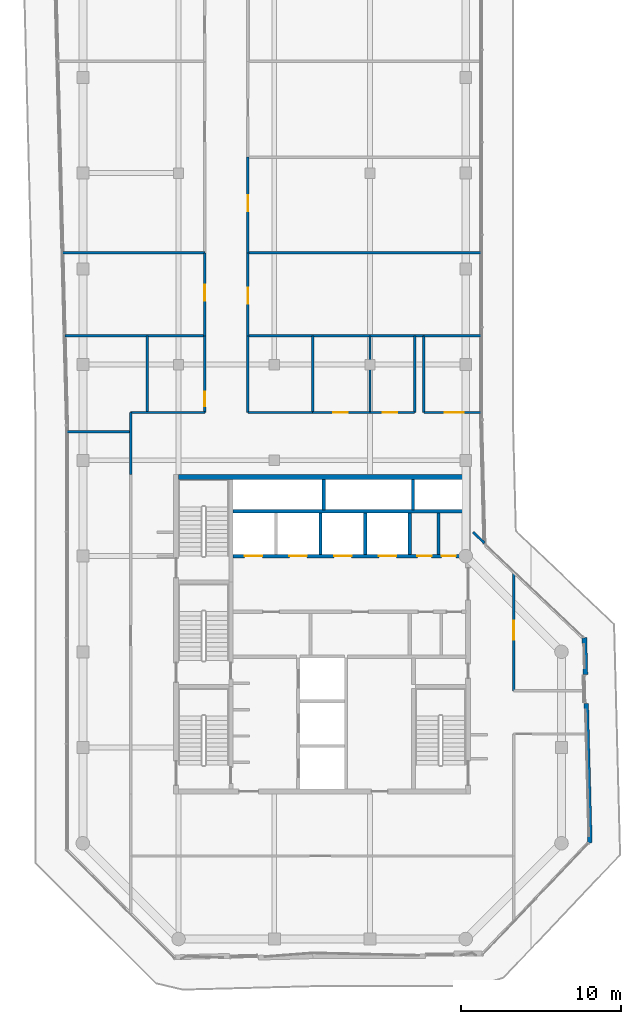
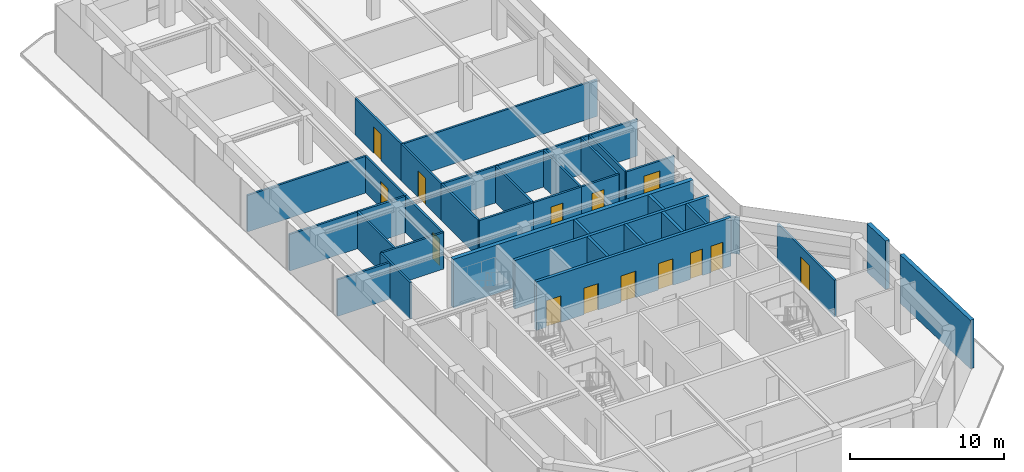
# One storey, part 17 of 20: 35 walls, 14 doors, 14 openings.
"""IFC4 building model written with IfcOpenShell, lengths in metres."""

import ifcopenshell
import ifcopenshell.guid

model = None  # the IFC model being written
_history = None  # IfcOwnerHistory: only IFC2X3 demands one
_inside = {}  # id of a spatial element -> (the spatial element, [elements in it])
_under = {}  # id of a project, library or spatial element -> (it, [spatial elements below it])
_declared = {}  # id of a project -> (the project, [libraries it declares])
_typed = {}  # id of a type object -> (the type object, [elements of that type])
_made_of = {}  # id of a material, layer set ... -> (it, [elements and type objects made of it])


def new_model(schema):
    """Start an empty IFC model of exactly this schema.

    Asked for "IFC4X3", IfcOpenShell would pick the latest addendum, in which some entities
    have other attributes; the version numbers below select the first issue.
    IFC2X3 requires an IfcOwnerHistory on every rooted entity: one is made here for all.
    """
    global model, _history
    if schema == "IFC4X3":
        model = ifcopenshell.file(schema_version=(4, 3, 0, 0))
    else:
        model = ifcopenshell.file(schema=schema)
    _inside.clear()
    _under.clear()
    _declared.clear()
    _typed.clear()
    _made_of.clear()
    _history = None
    if model.schema == "IFC2X3":
        org = make("IfcOrganization", Name="unknown")
        user = make(
            "IfcPersonAndOrganization",
            ThePerson=make("IfcPerson", FamilyName="unknown"),
            TheOrganization=org,
        )
        app = make(
            "IfcApplication",
            ApplicationDeveloper=org,
            Version="unknown",
            ApplicationFullName="unknown",
            ApplicationIdentifier="unknown",
        )
        _history = make(
            "IfcOwnerHistory",
            OwningUser=user,
            OwningApplication=app,
            ChangeAction="ADDED",
            CreationDate=0,
        )
    return model


def make(cls, **values):
    """One entity of the class cls with the attributes given. An attribute that is None is left unset."""
    return model.create_entity(
        cls, **{name: value for name, value in values.items() if value is not None}
    )


def rooted(cls, **values):
    """An entity with a GlobalId (a new one), such as an element, a storey or a relation."""
    return make(cls, GlobalId=ifcopenshell.guid.new(), OwnerHistory=_history, **values)


def si_unit(unit_type, name, prefix=None):
    """IfcSIUnit, for example si_unit("LENGTHUNIT", "METRE", prefix="MILLI")."""
    return make("IfcSIUnit", UnitType=unit_type, Prefix=prefix, Name=name)


def assignment(units):
    """IfcUnitAssignment: the units of a project."""
    return None if units is None else make("IfcUnitAssignment", Units=units)


def point(xyz):
    """IfcCartesianPoint."""
    return None if xyz is None else make("IfcCartesianPoint", Coordinates=xyz)


def direction(xyz):
    """IfcDirection."""
    return None if xyz is None else make("IfcDirection", DirectionRatios=xyz)


def frame(location, z_axis=None, x_axis=None):
    """IfcAxis2Placement3D, a coordinate frame: its origin and axes. An axis left out is left unset."""
    return make(
        "IfcAxis2Placement3D",
        Location=point(location),
        Axis=direction(z_axis),
        RefDirection=direction(x_axis),
    )


def frame_2d(location, x_axis=None):
    """IfcAxis2Placement2D, a coordinate frame in the plane: its origin and x axis."""
    return make(
        "IfcAxis2Placement2D", Location=point(location), RefDirection=direction(x_axis)
    )


def origin():
    """The frame at (0, 0, 0) with its axes left unset."""
    return frame((0.0, 0.0, 0.0))


def place(relative_to, where):
    """IfcLocalPlacement: puts the frame where relative to a parent placement (None: the world)."""
    return make(
        "IfcLocalPlacement", PlacementRelTo=relative_to, RelativePlacement=where
    )


def context(
    kind, dimensions, precision=None, world=None, true_north=None, identifier=None
):
    """IfcGeometricRepresentationContext, for example the 3D "Model" context."""
    return make(
        "IfcGeometricRepresentationContext",
        ContextIdentifier=identifier,
        ContextType=kind,
        CoordinateSpaceDimension=dimensions,
        Precision=precision,
        WorldCoordinateSystem=world,
        TrueNorth=true_north,
    )


def subcontext(parent, identifier, kind, view, scale=None):
    """IfcGeometricRepresentationSubContext, for example "Body" below "Model"."""
    return make(
        "IfcGeometricRepresentationSubContext",
        ContextIdentifier=identifier,
        ContextType=kind,
        ParentContext=parent,
        TargetScale=scale,
        TargetView=view,
    )


def project(units=None, contexts=None):
    """IfcProject with its units and contexts."""
    return rooted(
        "IfcProject",
        Name="project",
        RepresentationContexts=contexts,
        UnitsInContext=assignment(units),
    )


def spatial(cls, under=None, at=None, **own):
    """A site, building, storey or space (cls), placed at a placement, below another one or the project."""
    s = rooted(cls, ObjectPlacement=at, **own)
    if under is not None:
        _under.setdefault(under.id(), (under, []))[1].append(s)
    return s


def profile(cls, at=None, kind="AREA", **sizes):
    """A parametric profile (cls). Its sizes go by their IFC names, for example OverallWidth=200.0."""
    return make(cls, ProfileType=kind, Position=at, **sizes)


def rectangle(**sizes):
    """IfcRectangleProfileDef."""
    return profile("IfcRectangleProfileDef", **sizes)


def extrude(swept, where, along, depth):
    """IfcExtrudedAreaSolid: the profile swept, set in the frame where, extruded along a direction by depth."""
    return make(
        "IfcExtrudedAreaSolid",
        SweptArea=swept,
        Position=where,
        ExtrudedDirection=direction(along),
        Depth=depth,
    )


def shape(context_of_items, identifier, shape_type, items):
    """IfcShapeRepresentation: the items that make up one representation, for example the "Body"."""
    return make(
        "IfcShapeRepresentation",
        ContextOfItems=context_of_items,
        RepresentationIdentifier=identifier,
        RepresentationType=shape_type,
        Items=items,
    )


def material(Name=None, Category=None):
    """IfcMaterial."""
    return make("IfcMaterial", Name=Name, Category=Category)


def layer(
    of_material, thickness, ventilated=None, Name=None, Category=None, Priority=None
):
    """IfcMaterialLayer: one layer of a wall or slab, of a material (None: an air gap)."""
    return make(
        "IfcMaterialLayer",
        Material=of_material,
        LayerThickness=thickness,
        IsVentilated=ventilated,
        Name=Name,
        Category=Category,
        Priority=Priority,
    )


def layer_set(layers, Name=None):
    """IfcMaterialLayerSet."""
    return make("IfcMaterialLayerSet", MaterialLayers=layers, LayerSetName=Name)


def made_of(thing, what):
    """Note that an element or type object is made of a material, layer set ...; save() writes the relation."""
    if what is not None:
        _made_of.setdefault(what.id(), (what, []))[1].append(thing)
    return thing


def type_object(cls, material=None, **own):
    """A type object (cls), such as IfcWallType, which elements share."""
    return made_of(rooted(cls, **own), material)


def element(
    cls,
    number,
    at=None,
    inside=None,
    cuts=None,
    type_object=None,
    material=None,
    context=None,
    identifier="Body",
    shape_type=None,
    held_by="IfcProductDefinitionShape",
    body=None,
    shapes=None,
    **own,
):
    """One element of the class cls, such as IfcWall. Its Tag is "e" and its number.

    at: its placement. inside: the storey or other place that contains it. cuts: it is an
    opening in that element (IfcRelVoidsElement). A single representation is given by context,
    identifier, shape_type and body (its items); several are given by shapes. held_by: the class
    of the entity that holds the representations. save() writes the other relations.
    """
    e = rooted(cls, Tag="e%d" % number, ObjectPlacement=at, **own)
    if body is not None:
        shapes = [shape(context, identifier, shape_type, body)]
    if shapes is not None:
        e.Representation = make(held_by, Representations=shapes)
    if inside is not None:
        _inside.setdefault(inside.id(), (inside, []))[1].append(e)
    if cuts is not None:
        rooted(
            "IfcRelVoidsElement", RelatingBuildingElement=cuts, RelatedOpeningElement=e
        )
    if type_object is not None:
        _typed.setdefault(type_object.id(), (type_object, []))[1].append(e)
    return made_of(e, material)


def fill(opening, filler):
    """IfcRelFillsElement: the door or window that sits in an opening."""
    return rooted(
        "IfcRelFillsElement",
        RelatingOpeningElement=opening,
        RelatedBuildingElement=filler,
    )


def aggregate(whole, parts):
    """IfcRelAggregates: a whole, such as a stair, and the parts it consists of."""
    return rooted("IfcRelAggregates", RelatingObject=whole, RelatedObjects=parts)


def save(model, path):
    """Write the relations noted so far, then the file.

    IfcRelAggregates (storeys below a building ...), IfcRelContainedInSpatialStructure (elements
    in a storey), IfcRelDefinesByType, IfcRelAssociatesMaterial and IfcRelDeclares: one each for
    every whole, place, type object, material and project.
    """
    for whole, parts in _under.values():
        aggregate(whole, parts)
    for where, things in _inside.values():
        rooted(
            "IfcRelContainedInSpatialStructure",
            RelatedElements=things,
            RelatingStructure=where,
        )
    for kind, things in _typed.values():
        rooted("IfcRelDefinesByType", RelatedObjects=things, RelatingType=kind)
    for what, things in _made_of.values():
        rooted("IfcRelAssociatesMaterial", RelatedObjects=things, RelatingMaterial=what)
    for by, libraries in _declared.values():
        rooted("IfcRelDeclares", RelatingContext=by, RelatedDefinitions=libraries)
    model.write(path)


model = new_model("IFC4")

# Units and contexts
model_context = context("Model", 3, precision=1e-05, world=origin(), true_north=direction((0.0, 1.0)))
body_context = subcontext(model_context, "Body", "Model", "MODEL_VIEW")
ifc_project = project(units=[si_unit("LENGTHUNIT", "METRE"), si_unit("AREAUNIT", "SQUARE_METRE"), si_unit("VOLUMEUNIT", "CUBIC_METRE"), si_unit("PLANEANGLEUNIT", "RADIAN"), si_unit("MASSUNIT", "GRAM", prefix="KILO")], contexts=[model_context])

# Site, building, storey
site_placement = place(None, origin())
site = spatial("IfcSite", under=ifc_project, at=site_placement, CompositionType="ELEMENT")
building_placement = place(site_placement, origin())
building = spatial("IfcBuilding", under=site, at=building_placement, Name="Welwitschia Terrace Campus", CompositionType="ELEMENT")
storey_placement = place(building_placement, frame((0.0, 0.0, 293.60009765625)))
storey = spatial("IfcBuildingStorey", under=building, at=storey_placement, Name="L65", CompositionType="ELEMENT", Elevation=293.60009765625)

# Wall
ifc_material_1 = material(Name="Concrete C32/40", Category="concrete")
ifc_layer_1 = layer(ifc_material_1, 0.175048828125)
ifc_layer_set_1 = layer_set([ifc_layer_1], Name="Concrete C32/40")
wall_type_1 = type_object("IfcWallType", Name="Core partition 175 Concrete C32/40", PredefinedType="PARTITIONING", material=ifc_layer_set_1)
wall_1_placement = place(storey_placement, frame((22.300048828125, 20.10009765625, 0.0), z_axis=(0.0, 0.0, 1.0), x_axis=(0.0, 1.0, 0.0)))
element("IfcWall", 1, at=wall_1_placement, inside=storey, type_object=wall_type_1, Name="Core partition", PredefinedType="PARTITIONING", context=body_context, shape_type="SweptSolid", body=[
    extrude(rectangle(XDim=2.599853515625, YDim=0.175048828125, at=frame_2d((1.2998046875, 0.0))), origin(), (0.0, 0.0, 1.0), 3.849853515625),
])

# Wall, openings, doors
ifc_material_2 = material(Name="Concrete C32/40", Category="concrete")
ifc_layer_2 = layer(ifc_material_2, 0.22509765625)
ifc_layer_set_2 = layer_set([ifc_layer_2], Name="Concrete C32/40")
wall_type_2 = type_object("IfcWallType", Name="Core partition 225 Concrete C32/40", PredefinedType="PARTITIONING", material=ifc_layer_set_2)
wall_2_placement = place(storey_placement, frame((24.0, 20.0, 0.0), z_axis=(0.0, 0.0, 1.0), x_axis=(-1.0, 0.0, 0.0)))
wall_2 = element("IfcWall", 2, at=wall_2_placement, inside=storey, type_object=wall_type_2, Name="Shaft wall", PredefinedType="PARTITIONING", context=body_context, shape_type="SweptSolid", body=[
    extrude(rectangle(XDim=14.60009765625, YDim=0.22509765625, at=frame_2d((7.300048828125, 0.0))), origin(), (0.0, 0.0, 1.0), 3.849853515625),
])
opening_1_placement = place(wall_2_placement, frame((12.75, 0.0, 0.0)))
opening_1 = element("IfcOpeningElement", 3, at=opening_1_placement, cuts=wall_2, Name="Opening LD", PredefinedType="OPENING", context=body_context, shape_type="SweptSolid", body=[
    extrude(rectangle(XDim=1.10009765625, YDim=2.10009765625, at=frame_2d((0.550048828125, 1.050048828125))), frame((0.0, 0.12255859375, 0.0), z_axis=(0.0, -1.0, 0.0), x_axis=(1.0, 0.0, 0.0)), (0.0, 0.0, 1.0), 0.2451171875),
])
opening_2_placement = place(wall_2_placement, frame((9.949951171875, 0.0, 0.0)))
opening_2 = element("IfcOpeningElement", 4, at=opening_2_placement, cuts=wall_2, Name="Opening LD", PredefinedType="OPENING", context=body_context, shape_type="SweptSolid", body=[
    extrude(rectangle(XDim=1.10009765625, YDim=2.10009765625, at=frame_2d((0.550048828125, 1.050048828125))), frame((0.0, 0.12255859375, 0.0), z_axis=(0.0, -1.0, 0.0), x_axis=(1.0, 0.0, 0.0)), (0.0, 0.0, 1.0), 0.2451171875),
])
opening_3_placement = place(wall_2_placement, frame((7.14990234375, 0.0, 0.0)))
opening_3 = element("IfcOpeningElement", 5, at=opening_3_placement, cuts=wall_2, Name="Opening LD", PredefinedType="OPENING", context=body_context, shape_type="SweptSolid", body=[
    extrude(rectangle(XDim=1.10009765625, YDim=2.10009765625, at=frame_2d((0.550048828125, 1.050048828125))), frame((0.0, 0.12255859375, 0.0), z_axis=(0.0, -1.0, 0.0), x_axis=(1.0, 0.0, 0.0)), (0.0, 0.0, 1.0), 0.2451171875),
])
opening_4_placement = place(wall_2_placement, frame((4.35009765625, 0.0, 0.0)))
opening_4 = element("IfcOpeningElement", 6, at=opening_4_placement, cuts=wall_2, Name="Opening LD", PredefinedType="OPENING", context=body_context, shape_type="SweptSolid", body=[
    extrude(rectangle(XDim=1.10009765625, YDim=2.10009765625, at=frame_2d((0.550048828125, 1.050048828125))), frame((0.0, 0.12255859375, 0.0), z_axis=(0.0, -1.0, 0.0), x_axis=(1.0, 0.0, 0.0)), (0.0, 0.0, 1.0), 0.2451171875),
])
opening_5_placement = place(wall_2_placement, frame((2.137451171875, 0.0, 0.0)))
opening_5 = element("IfcOpeningElement", 7, at=opening_5_placement, cuts=wall_2, Name="Opening DR09", PredefinedType="OPENING", context=body_context, shape_type="SweptSolid", body=[
    extrude(rectangle(XDim=0.89990234375, YDim=2.10009765625, at=frame_2d((0.449951171875, 1.050048828125))), frame((0.0, 0.12255859375, 0.0), z_axis=(0.0, -1.0, 0.0), x_axis=(1.0, 0.0, 0.0)), (0.0, 0.0, 1.0), 0.2451171875),
])
opening_6_placement = place(wall_2_placement, frame((0.612060546875, 0.0, 0.0)))
opening_6 = element("IfcOpeningElement", 8, at=opening_6_placement, cuts=wall_2, Name="Opening DR09", PredefinedType="OPENING", context=body_context, shape_type="SweptSolid", body=[
    extrude(rectangle(XDim=0.89990234375, YDim=2.10009765625, at=frame_2d((0.449951171875, 1.050048828125))), frame((0.0, 0.12255859375, 0.0), z_axis=(0.0, -1.0, 0.0), x_axis=(1.0, 0.0, 0.0)), (0.0, 0.0, 1.0), 0.2451171875),
])
ifc_material_3 = material(Name="Steel S275", Category="steel")
door_type_1 = type_object("IfcDoorType", Name="Core door DR09", OperationType="SINGLE_SWING_LEFT", PredefinedType="DOOR", material=ifc_material_3)
door_1_placement = place(opening_5_placement, origin())
door_1 = element("IfcDoor", 9, at=door_1_placement, inside=storey, type_object=door_type_1, Name="Door EH1-D", OperationType="SINGLE_SWING_LEFT", OverallHeight=2.10009765625, OverallWidth=0.89990234375, PredefinedType="DOOR", context=body_context, shape_type="SweptSolid", body=[
    extrude(rectangle(XDim=0.89990234375, YDim=2.10009765625, at=frame_2d((0.449951171875, 1.050048828125))), frame((0.0, 0.02490234375, 0.0), z_axis=(0.0, -1.0, 0.0), x_axis=(1.0, 0.0, 0.0)), (0.0, 0.0, 1.0), 0.050048828125),
])
fill(opening_5, door_1)
door_2_placement = place(opening_6_placement, origin())
door_2 = element("IfcDoor", 10, at=door_2_placement, inside=storey, type_object=door_type_1, Name="Door EH2-D", OperationType="SINGLE_SWING_LEFT", OverallHeight=2.10009765625, OverallWidth=0.89990234375, PredefinedType="DOOR", context=body_context, shape_type="SweptSolid", body=[
    extrude(rectangle(XDim=0.89990234375, YDim=2.10009765625, at=frame_2d((0.449951171875, 1.050048828125))), frame((0.0, 0.02490234375, 0.0), z_axis=(0.0, -1.0, 0.0), x_axis=(1.0, 0.0, 0.0)), (0.0, 0.0, 1.0), 0.050048828125),
])
fill(opening_6, door_2)
ifc_material_4 = material(Name="Stainless steel 304", Category="steel")
door_type_2 = type_object("IfcDoorType", Name="Lift landing door", OperationType="DOUBLE_DOOR_SLIDING", PredefinedType="DOOR", material=ifc_material_4)
door_3_placement = place(opening_1_placement, origin())
door_3 = element("IfcDoor", 11, at=door_3_placement, inside=storey, type_object=door_type_2, Name="Landing door HR1", OperationType="DOUBLE_DOOR_SLIDING", OverallHeight=2.10009765625, OverallWidth=1.10009765625, PredefinedType="DOOR", context=body_context, shape_type="SweptSolid", body=[
    extrude(rectangle(XDim=1.10009765625, YDim=2.10009765625, at=frame_2d((0.550048828125, 1.050048828125))), frame((0.0, 0.02490234375, 0.0), z_axis=(0.0, -1.0, 0.0), x_axis=(1.0, 0.0, 0.0)), (0.0, 0.0, 1.0), 0.050048828125),
])
fill(opening_1, door_3)
door_4_placement = place(opening_2_placement, origin())
door_4 = element("IfcDoor", 12, at=door_4_placement, inside=storey, type_object=door_type_2, Name="Landing door HR2", OperationType="DOUBLE_DOOR_SLIDING", OverallHeight=2.10009765625, OverallWidth=1.10009765625, PredefinedType="DOOR", context=body_context, shape_type="SweptSolid", body=[
    extrude(rectangle(XDim=1.10009765625, YDim=2.10009765625, at=frame_2d((0.550048828125, 1.050048828125))), frame((0.0, 0.02490234375, 0.0), z_axis=(0.0, -1.0, 0.0), x_axis=(1.0, 0.0, 0.0)), (0.0, 0.0, 1.0), 0.050048828125),
])
fill(opening_2, door_4)
door_5_placement = place(opening_3_placement, origin())
door_5 = element("IfcDoor", 13, at=door_5_placement, inside=storey, type_object=door_type_2, Name="Landing door HR3", OperationType="DOUBLE_DOOR_SLIDING", OverallHeight=2.10009765625, OverallWidth=1.10009765625, PredefinedType="DOOR", context=body_context, shape_type="SweptSolid", body=[
    extrude(rectangle(XDim=1.10009765625, YDim=2.10009765625, at=frame_2d((0.550048828125, 1.050048828125))), frame((0.0, 0.02490234375, 0.0), z_axis=(0.0, -1.0, 0.0), x_axis=(1.0, 0.0, 0.0)), (0.0, 0.0, 1.0), 0.050048828125),
])
fill(opening_3, door_5)
door_6_placement = place(opening_4_placement, origin())
door_6 = element("IfcDoor", 14, at=door_6_placement, inside=storey, type_object=door_type_2, Name="Landing door HR4", OperationType="DOUBLE_DOOR_SLIDING", OverallHeight=2.10009765625, OverallWidth=1.10009765625, PredefinedType="DOOR", context=body_context, shape_type="SweptSolid", body=[
    extrude(rectangle(XDim=1.10009765625, YDim=2.10009765625, at=frame_2d((0.550048828125, 1.050048828125))), frame((0.0, 0.02490234375, 0.0), z_axis=(0.0, -1.0, 0.0), x_axis=(1.0, 0.0, 0.0)), (0.0, 0.0, 1.0), 0.050048828125),
])
fill(opening_4, door_6)

# Walls
wall_3_placement = place(storey_placement, frame((9.39990234375, 22.800048828125, 0.0), z_axis=(0.0, 0.0, 1.0), x_axis=(1.0, 0.0, 0.0)))
element("IfcWall", 15, at=wall_3_placement, inside=storey, type_object=wall_type_2, Name="Shaft wall", PredefinedType="PARTITIONING", context=body_context, shape_type="SweptSolid", body=[
    extrude(rectangle(XDim=14.60009765625, YDim=0.22509765625, at=frame_2d((7.300048828125, 0.0))), origin(), (0.0, 0.0, 1.0), 3.849853515625),
])
wall_4_placement = place(storey_placement, frame((20.5, 20.10009765625, 0.0), z_axis=(0.0, 0.0, 1.0), x_axis=(0.0, 1.0, 0.0)))
element("IfcWall", 16, at=wall_4_placement, inside=storey, type_object=wall_type_2, Name="Shaft wall", PredefinedType="PARTITIONING", context=body_context, shape_type="SweptSolid", body=[
    extrude(rectangle(XDim=2.599853515625, YDim=0.22509765625, at=frame_2d((1.2998046875, 0.0))), origin(), (0.0, 0.0, 1.0), 3.849853515625),
])
ifc_material_5 = material(Name="Concrete C50/60", Category="concrete")
ifc_layer_3 = layer(ifc_material_5, 0.199951171875)
ifc_layer_set_3 = layer_set([ifc_layer_3], Name="Concrete C50/60")
wall_type_3 = type_object("IfcWallType", Name="Core wall 200 Concrete C50/60", PredefinedType="SHEAR", material=ifc_layer_set_3)
for number, where, z_axis, x_axis, name in (
    (17, (15.10009765625, 22.89990234375, 0.0), (0.0, 0.0, 1.0), (0.0, 1.0, 0.0), "Core wall"),
    (18, (20.699951171875, 22.89990234375, 0.0), (0.0, 0.0, 1.0), (0.0, 1.0, 0.0), "Core wall"),
):
    element("IfcWall", number, at=place(storey_placement, frame(where, z_axis=z_axis, x_axis=x_axis)), inside=storey, type_object=wall_type_3, Name=name, PredefinedType="SHEAR", context=body_context, shape_type="SweptSolid", body=[
        extrude(rectangle(XDim=1.900146484375, YDim=0.199951171875, at=frame_2d((0.9501953125, 0.0))), origin(), (0.0, 0.0, 1.0), 3.849853515625),
    ])
ifc_material_6 = material(Name="Concrete C50/60", Category="concrete")
ifc_layer_4 = layer(ifc_material_6, 0.300048828125)
ifc_layer_set_4 = layer_set([ifc_layer_4], Name="Concrete C50/60")
wall_type_4 = type_object("IfcWallType", Name="Core wall 300 Concrete C50/60", PredefinedType="SHEAR", material=ifc_layer_set_4)
wall_5_placement = place(storey_placement, frame((6.0, 24.949951171875, 0.0), z_axis=(0.0, 0.0, 1.0), x_axis=(1.0, 0.0, 0.0)))
element("IfcWall", 19, at=wall_5_placement, inside=storey, type_object=wall_type_4, Name="Core outer wall", PredefinedType="SHEAR", context=body_context, shape_type="SweptSolid", body=[
    extrude(rectangle(XDim=18.0, YDim=0.300048828125, at=frame_2d((9.0, 0.0))), origin(), (0.0, 0.0, 1.0), 3.849853515625),
])
ifc_material_7 = material(Name="Gypsum board on steel studs", Category="steel")
ifc_layer_5 = layer(ifc_material_7, 0.14990234375)
ifc_layer_set_5 = layer_set([ifc_layer_5], Name="Gypsum board on steel studs")
wall_type_5 = type_object("IfcWallType", Name="Corridor partition 150 EI 30", PredefinedType="PARTITIONING", material=ifc_layer_set_5)
wall_6_placement = place(storey_placement, frame((-1.260009765625, 39.0, 0.0), z_axis=(0.0, 0.0, 1.0), x_axis=(1.0, 0.0, 0.0)))
element("IfcWall", 20, at=wall_6_placement, inside=storey, type_object=wall_type_5, Name="Partition", PredefinedType="PARTITIONING", context=body_context, shape_type="SweptSolid", body=[
    extrude(rectangle(XDim=8.909912109375, YDim=0.14990234375, at=frame_2d((4.455078125, 0.0))), origin(), (0.0, 0.0, 1.0), 2.89990234375),
])
wall_7_placement = place(storey_placement, frame((-1.115234375, 33.800048828125, 0.0), z_axis=(0.0, 0.0, 1.0), x_axis=(1.0, 0.0, 0.0)))
element("IfcWall", 21, at=wall_7_placement, inside=storey, type_object=wall_type_5, Name="Partition", PredefinedType="PARTITIONING", context=body_context, shape_type="SweptSolid", body=[
    extrude(rectangle(XDim=8.76513671875, YDim=0.14990234375, at=frame_2d((4.382568359375, 0.0))), origin(), (0.0, 0.0, 1.0), 2.89990234375),
])
wall_8_placement = place(storey_placement, frame((-0.97998046875, 27.800048828125, 0.0), z_axis=(0.0, 0.0, 1.0), x_axis=(1.0, 0.0, 0.0)))
element("IfcWall", 22, at=wall_8_placement, inside=storey, type_object=wall_type_5, Name="Partition", PredefinedType="PARTITIONING", context=body_context, shape_type="SweptSolid", body=[
    extrude(rectangle(XDim=3.97998046875, YDim=0.14990234375, at=frame_2d((1.989990234375, 0.0))), origin(), (0.0, 0.0, 1.0), 2.89990234375),
])
wall_9_placement = place(storey_placement, frame((3.0, 25.10009765625, 0.0), z_axis=(0.0, 0.0, 1.0), x_axis=(0.0, 1.0, 0.0)))
element("IfcWall", 23, at=wall_9_placement, inside=storey, type_object=wall_type_5, Name="Partition", PredefinedType="PARTITIONING", context=body_context, shape_type="SweptSolid", body=[
    extrude(rectangle(XDim=3.89990234375, YDim=0.14990234375, at=frame_2d((1.949951171875, 0.0))), origin(), (0.0, 0.0, 1.0), 2.89990234375),
])
wall_10_placement = place(storey_placement, frame((3.0, 29.0, 0.0), z_axis=(0.0, 0.0, 1.0), x_axis=(1.0, 0.0, 0.0)))
element("IfcWall", 24, at=wall_10_placement, inside=storey, type_object=wall_type_5, Name="Partition", PredefinedType="PARTITIONING", context=body_context, shape_type="SweptSolid", body=[
    extrude(rectangle(XDim=4.64990234375, YDim=0.14990234375, at=frame_2d((2.324951171875, 0.0))), origin(), (0.0, 0.0, 1.0), 2.89990234375),
])
wall_11_placement = place(storey_placement, frame((4.050048828125, 29.0, 0.0), z_axis=(0.0, 0.0, 1.0), x_axis=(0.0, 1.0, 0.0)))
element("IfcWall", 25, at=wall_11_placement, inside=storey, type_object=wall_type_5, Name="Partition", PredefinedType="PARTITIONING", context=body_context, shape_type="SweptSolid", body=[
    extrude(rectangle(XDim=4.800048828125, YDim=0.14990234375, at=frame_2d((2.39990234375, 0.0))), origin(), (0.0, 0.0, 1.0), 2.89990234375),
])

# Wall, opening, door
wall_12_placement = place(storey_placement, frame((7.64990234375, 29.0, 0.0), z_axis=(0.0, 0.0, 1.0), x_axis=(0.0, 1.0, 0.0)))
wall_12 = element("IfcWall", 26, at=wall_12_placement, inside=storey, type_object=wall_type_5, Name="Partition", PredefinedType="PARTITIONING", context=body_context, shape_type="SweptSolid", body=[
    extrude(rectangle(XDim=4.800048828125, YDim=0.14990234375, at=frame_2d((2.39990234375, 0.0))), origin(), (0.0, 0.0, 1.0), 2.89990234375),
])
opening_7_placement = place(wall_12_placement, frame((0.39990234375, 0.0, 0.0)))
opening_7 = element("IfcOpeningElement", 27, at=opening_7_placement, cuts=wall_12, Name="Opening DI09", PredefinedType="OPENING", context=body_context, shape_type="SweptSolid", body=[
    extrude(rectangle(XDim=0.89990234375, YDim=2.10009765625, at=frame_2d((0.449951171875, 1.050048828125))), frame((0.0, 0.0849609375, 0.0), z_axis=(0.0, -1.0, 0.0), x_axis=(1.0, 0.0, 0.0)), (0.0, 0.0, 1.0), 0.169921875),
])
ifc_material_8 = material(Name="Timber veneered door", Category="wood")
door_type_3 = type_object("IfcDoorType", Name="Interior door DI09", OperationType="NOTDEFINED", PredefinedType="DOOR", material=ifc_material_8)
door_7_placement = place(opening_7_placement, origin())
door_7 = element("IfcDoor", 28, at=door_7_placement, inside=storey, type_object=door_type_3, Name="Door L65 1153", OperationType="SINGLE_SWING_RIGHT", OverallHeight=2.10009765625, OverallWidth=0.89990234375, PredefinedType="DOOR", context=body_context, shape_type="SweptSolid", body=[
    extrude(rectangle(XDim=0.89990234375, YDim=2.10009765625, at=frame_2d((0.449951171875, 1.050048828125))), frame((0.0, 0.02490234375, 0.0), z_axis=(0.0, -1.0, 0.0), x_axis=(1.0, 0.0, 0.0)), (0.0, 0.0, 1.0), 0.050048828125),
])
fill(opening_7, door_7)

wall_13_placement = place(storey_placement, frame((7.64990234375, 33.800048828125, 0.0), z_axis=(0.0, 0.0, 1.0), x_axis=(0.0, 1.0, 0.0)))
wall_13 = element("IfcWall", 29, at=wall_13_placement, inside=storey, type_object=wall_type_5, Name="Partition", PredefinedType="PARTITIONING", context=body_context, shape_type="SweptSolid", body=[
    extrude(rectangle(XDim=5.199951171875, YDim=0.14990234375, at=frame_2d((2.60009765625, 0.0))), origin(), (0.0, 0.0, 1.0), 2.89990234375),
])
opening_8_placement = place(wall_13_placement, frame((2.199951171875, 0.0, 0.0)))
opening_8 = element("IfcOpeningElement", 30, at=opening_8_placement, cuts=wall_13, Name="Opening DI10", PredefinedType="OPENING", context=body_context, shape_type="SweptSolid", body=[
    extrude(rectangle(XDim=1.0, YDim=2.10009765625, at=frame_2d((0.5, 1.050048828125))), frame((0.0, 0.0849609375, 0.0), z_axis=(0.0, -1.0, 0.0), x_axis=(1.0, 0.0, 0.0)), (0.0, 0.0, 1.0), 0.169921875),
])
ifc_material_9 = material(Name="Timber veneered door", Category="wood")
door_type_4 = type_object("IfcDoorType", Name="Interior door DI10", OperationType="NOTDEFINED", PredefinedType="DOOR", material=ifc_material_9)
door_8_placement = place(opening_8_placement, origin())
door_8 = element("IfcDoor", 31, at=door_8_placement, inside=storey, type_object=door_type_4, Name="Door L65 1154", OperationType="SINGLE_SWING_LEFT", OverallHeight=2.10009765625, OverallWidth=1.0, PredefinedType="DOOR", context=body_context, shape_type="SweptSolid", body=[
    extrude(rectangle(XDim=1.0, YDim=2.10009765625, at=frame_2d((0.5, 1.050048828125))), frame((0.0, 0.02490234375, 0.0), z_axis=(0.0, -1.0, 0.0), x_axis=(1.0, 0.0, 0.0)), (0.0, 0.0, 1.0), 0.050048828125),
])
fill(opening_8, door_8)

# Walls
wall_14_placement = place(storey_placement, frame((10.35009765625, 29.0, 0.0), z_axis=(0.0, 0.0, 1.0), x_axis=(0.0, 1.0, 0.0)))
element("IfcWall", 32, at=wall_14_placement, inside=storey, type_object=wall_type_5, Name="Partition", PredefinedType="PARTITIONING", context=body_context, shape_type="SweptSolid", body=[
    extrude(rectangle(XDim=4.800048828125, YDim=0.14990234375, at=frame_2d((2.39990234375, 0.0))), origin(), (0.0, 0.0, 1.0), 2.89990234375),
])
wall_15_placement = place(storey_placement, frame((10.35009765625, 29.0, 0.0), z_axis=(0.0, 0.0, 1.0), x_axis=(1.0, 0.0, 0.0)))
element("IfcWall", 33, at=wall_15_placement, inside=storey, type_object=wall_type_5, Name="Partition", PredefinedType="PARTITIONING", context=body_context, shape_type="SweptSolid", body=[
    extrude(rectangle(XDim=4.0498046875, YDim=0.14990234375, at=frame_2d((2.02490234375, 0.0))), origin(), (0.0, 0.0, 1.0), 2.89990234375),
])
wall_16_placement = place(storey_placement, frame((10.35009765625, 33.800048828125, 0.0), z_axis=(0.0, 0.0, 1.0), x_axis=(1.0, 0.0, 0.0)))
element("IfcWall", 34, at=wall_16_placement, inside=storey, type_object=wall_type_5, Name="Partition", PredefinedType="PARTITIONING", context=body_context, shape_type="SweptSolid", body=[
    extrude(rectangle(XDim=11.02978515625, YDim=0.14990234375, at=frame_2d((5.514892578125, 0.0))), origin(), (0.0, 0.0, 1.0), 2.89990234375),
])

# Wall, opening, door
wall_17_placement = place(storey_placement, frame((10.35009765625, 39.0, 0.0), z_axis=(0.0, 0.0, 1.0), x_axis=(0.0, -1.0, 0.0)))
wall_17 = element("IfcWall", 35, at=wall_17_placement, inside=storey, type_object=wall_type_5, Name="Partition", PredefinedType="PARTITIONING", context=body_context, shape_type="SweptSolid", body=[
    extrude(rectangle(XDim=5.199951171875, YDim=0.14990234375, at=frame_2d((2.60009765625, 0.0))), origin(), (0.0, 0.0, 1.0), 2.89990234375),
])
opening_9_placement = place(wall_17_placement, frame((2.199951171875, 0.0, 0.0)))
opening_9 = element("IfcOpeningElement", 36, at=opening_9_placement, cuts=wall_17, Name="Opening DI10", PredefinedType="OPENING", context=body_context, shape_type="SweptSolid", body=[
    extrude(rectangle(XDim=1.0, YDim=2.10009765625, at=frame_2d((0.5, 1.050048828125))), frame((0.0, 0.0849609375, 0.0), z_axis=(0.0, -1.0, 0.0), x_axis=(1.0, 0.0, 0.0)), (0.0, 0.0, 1.0), 0.169921875),
])
door_9_placement = place(opening_9_placement, origin())
door_9 = element("IfcDoor", 37, at=door_9_placement, inside=storey, type_object=door_type_4, Name="Door L65 1158", OperationType="SINGLE_SWING_LEFT", OverallHeight=2.10009765625, OverallWidth=1.0, PredefinedType="DOOR", context=body_context, shape_type="SweptSolid", body=[
    extrude(rectangle(XDim=1.0, YDim=2.10009765625, at=frame_2d((0.5, 1.050048828125))), frame((0.0, 0.02490234375, 0.0), z_axis=(0.0, -1.0, 0.0), x_axis=(1.0, 0.0, 0.0)), (0.0, 0.0, 1.0), 0.050048828125),
])
fill(opening_9, door_9)

# Wall
wall_18_placement = place(storey_placement, frame((10.35009765625, 39.0, 0.0), z_axis=(0.0, 0.0, 1.0), x_axis=(1.0, 0.0, 0.0)))
element("IfcWall", 38, at=wall_18_placement, inside=storey, type_object=wall_type_5, Name="Partition", PredefinedType="PARTITIONING", context=body_context, shape_type="SweptSolid", body=[
    extrude(rectangle(XDim=14.6298828125, YDim=0.14990234375, at=frame_2d((7.31494140625, 0.0))), origin(), (0.0, 0.0, 1.0), 2.89990234375),
])

# Wall, opening, door
wall_19_placement = place(storey_placement, frame((10.35009765625, 45.0, 0.0), z_axis=(0.0, 0.0, 1.0), x_axis=(0.0, -1.0, 0.0)))
wall_19 = element("IfcWall", 39, at=wall_19_placement, inside=storey, type_object=wall_type_5, Name="Partition", PredefinedType="PARTITIONING", context=body_context, shape_type="SweptSolid", body=[
    extrude(rectangle(XDim=6.0, YDim=0.14990234375, at=frame_2d((3.0, 0.0))), origin(), (0.0, 0.0, 1.0), 2.89990234375),
])
opening_10_placement = place(wall_19_placement, frame((2.39990234375, 0.0, 0.0)))
opening_10 = element("IfcOpeningElement", 40, at=opening_10_placement, cuts=wall_19, Name="Opening DI10", PredefinedType="OPENING", context=body_context, shape_type="SweptSolid", body=[
    extrude(rectangle(XDim=1.0, YDim=2.10009765625, at=frame_2d((0.5, 1.050048828125))), frame((0.0, 0.0849609375, 0.0), z_axis=(0.0, -1.0, 0.0), x_axis=(1.0, 0.0, 0.0)), (0.0, 0.0, 1.0), 0.169921875),
])
door_10_placement = place(opening_10_placement, origin())
door_10 = element("IfcDoor", 41, at=door_10_placement, inside=storey, type_object=door_type_4, Name="Door L65 1159", OperationType="SINGLE_SWING_RIGHT", OverallHeight=2.10009765625, OverallWidth=1.0, PredefinedType="DOOR", context=body_context, shape_type="SweptSolid", body=[
    extrude(rectangle(XDim=1.0, YDim=2.10009765625, at=frame_2d((0.5, 1.050048828125))), frame((0.0, 0.02490234375, 0.0), z_axis=(0.0, -1.0, 0.0), x_axis=(1.0, 0.0, 0.0)), (0.0, 0.0, 1.0), 0.050048828125),
])
fill(opening_10, door_10)

# Wall
wall_20_placement = place(storey_placement, frame((14.39990234375, 29.0, 0.0), z_axis=(0.0, 0.0, 1.0), x_axis=(0.0, 1.0, 0.0)))
element("IfcWall", 42, at=wall_20_placement, inside=storey, type_object=wall_type_5, Name="Partition", PredefinedType="PARTITIONING", context=body_context, shape_type="SweptSolid", body=[
    extrude(rectangle(XDim=4.800048828125, YDim=0.14990234375, at=frame_2d((2.39990234375, 0.0))), origin(), (0.0, 0.0, 1.0), 2.89990234375),
])

# Wall, opening, door
wall_21_placement = place(storey_placement, frame((14.39990234375, 29.0, 0.0), z_axis=(0.0, 0.0, 1.0), x_axis=(1.0, 0.0, 0.0)))
wall_21 = element("IfcWall", 43, at=wall_21_placement, inside=storey, type_object=wall_type_5, Name="Partition", PredefinedType="PARTITIONING", context=body_context, shape_type="SweptSolid", body=[
    extrude(rectangle(XDim=3.60009765625, YDim=0.14990234375, at=frame_2d((1.800048828125, 0.0))), origin(), (0.0, 0.0, 1.0), 2.89990234375),
])
opening_11_placement = place(wall_21_placement, frame((1.300048828125, 0.0, 0.0)))
opening_11 = element("IfcOpeningElement", 44, at=opening_11_placement, cuts=wall_21, Name="Opening DI09", PredefinedType="OPENING", context=body_context, shape_type="SweptSolid", body=[
    extrude(rectangle(XDim=0.89990234375, YDim=2.10009765625, at=frame_2d((0.449951171875, 1.050048828125))), frame((0.0, 0.0849609375, 0.0), z_axis=(0.0, -1.0, 0.0), x_axis=(1.0, 0.0, 0.0)), (0.0, 0.0, 1.0), 0.169921875),
])
door_11_placement = place(opening_11_placement, origin())
door_11 = element("IfcDoor", 45, at=door_11_placement, inside=storey, type_object=door_type_3, Name="Door L65 1162", OperationType="SINGLE_SWING_LEFT", OverallHeight=2.10009765625, OverallWidth=0.89990234375, PredefinedType="DOOR", context=body_context, shape_type="SweptSolid", body=[
    extrude(rectangle(XDim=0.89990234375, YDim=2.10009765625, at=frame_2d((0.449951171875, 1.050048828125))), frame((0.0, 0.02490234375, 0.0), z_axis=(0.0, -1.0, 0.0), x_axis=(1.0, 0.0, 0.0)), (0.0, 0.0, 1.0), 0.050048828125),
])
fill(opening_11, door_11)

# Wall
wall_22_placement = place(storey_placement, frame((18.0, 29.0, 0.0), z_axis=(0.0, 0.0, 1.0), x_axis=(0.0, 1.0, 0.0)))
element("IfcWall", 46, at=wall_22_placement, inside=storey, type_object=wall_type_5, Name="Partition", PredefinedType="PARTITIONING", context=body_context, shape_type="SweptSolid", body=[
    extrude(rectangle(XDim=4.800048828125, YDim=0.14990234375, at=frame_2d((2.39990234375, 0.0))), origin(), (0.0, 0.0, 1.0), 2.89990234375),
])

# Wall, opening, door
wall_23_placement = place(storey_placement, frame((18.0, 29.0, 0.0), z_axis=(0.0, 0.0, 1.0), x_axis=(1.0, 0.0, 0.0)))
wall_23 = element("IfcWall", 47, at=wall_23_placement, inside=storey, type_object=wall_type_5, Name="Partition", PredefinedType="PARTITIONING", context=body_context, shape_type="SweptSolid", body=[
    extrude(rectangle(XDim=2.800048828125, YDim=0.14990234375, at=frame_2d((1.39990234375, 0.0))), origin(), (0.0, 0.0, 1.0), 2.89990234375),
])
opening_12_placement = place(wall_23_placement, frame((0.800048828125, 0.0, 0.0)))
opening_12 = element("IfcOpeningElement", 48, at=opening_12_placement, cuts=wall_23, Name="Opening DI09", PredefinedType="OPENING", context=body_context, shape_type="SweptSolid", body=[
    extrude(rectangle(XDim=0.89990234375, YDim=2.10009765625, at=frame_2d((0.449951171875, 1.050048828125))), frame((0.0, 0.0849609375, 0.0), z_axis=(0.0, -1.0, 0.0), x_axis=(1.0, 0.0, 0.0)), (0.0, 0.0, 1.0), 0.169921875),
])
door_12_placement = place(opening_12_placement, origin())
door_12 = element("IfcDoor", 49, at=door_12_placement, inside=storey, type_object=door_type_3, Name="Door L65 1163", OperationType="SINGLE_SWING_RIGHT", OverallHeight=2.10009765625, OverallWidth=0.89990234375, PredefinedType="DOOR", context=body_context, shape_type="SweptSolid", body=[
    extrude(rectangle(XDim=0.89990234375, YDim=2.10009765625, at=frame_2d((0.449951171875, 1.050048828125))), frame((0.0, 0.02490234375, 0.0), z_axis=(0.0, -1.0, 0.0), x_axis=(1.0, 0.0, 0.0)), (0.0, 0.0, 1.0), 0.050048828125),
])
fill(opening_12, door_12)

# Walls
for number, where, z_axis, x_axis, name in (
    (50, (20.800048828125, 29.0, 0.0), (0.0, 0.0, 1.0), (0.0, 1.0, 0.0), "Partition"),
    (51, (21.3798828125, 29.0, 0.0), (0.0, 0.0, 1.0), (0.0, 1.0, 0.0), "Partition"),
):
    element("IfcWall", number, at=place(storey_placement, frame(where, z_axis=z_axis, x_axis=x_axis)), inside=storey, type_object=wall_type_5, Name=name, PredefinedType="PARTITIONING", context=body_context, shape_type="SweptSolid", body=[
        extrude(rectangle(XDim=4.800048828125, YDim=0.14990234375, at=frame_2d((2.39990234375, 0.0))), origin(), (0.0, 0.0, 1.0), 2.89990234375),
    ])

# Wall, opening, door
wall_24_placement = place(storey_placement, frame((21.3798828125, 29.0, 0.0), z_axis=(0.0, 0.0, 1.0), x_axis=(1.0, 0.0, 0.0)))
wall_24 = element("IfcWall", 52, at=wall_24_placement, inside=storey, type_object=wall_type_5, Name="Partition", PredefinedType="PARTITIONING", context=body_context, shape_type="SweptSolid", body=[
    extrude(rectangle(XDim=3.590087890625, YDim=0.14990234375, at=frame_2d((1.794921875, 0.0))), origin(), (0.0, 0.0, 1.0), 2.89990234375),
])
opening_13_placement = place(wall_24_placement, frame((1.2900390625, 0.0, 0.0)))
opening_13 = element("IfcOpeningElement", 53, at=opening_13_placement, cuts=wall_24, Name="Opening DX12", PredefinedType="OPENING", context=body_context, shape_type="SweptSolid", body=[
    extrude(rectangle(XDim=1.199951171875, YDim=2.10009765625, at=frame_2d((0.60009765625, 1.050048828125))), frame((0.0, 0.0849609375, 0.0), z_axis=(0.0, -1.0, 0.0), x_axis=(1.0, 0.0, 0.0)), (0.0, 0.0, 1.0), 0.169921875),
])
ifc_material_10 = material(Name="Timber veneered door", Category="wood")
door_type_5 = type_object("IfcDoorType", Name="Interior door DX12", OperationType="NOTDEFINED", PredefinedType="DOOR", material=ifc_material_10)
door_13_placement = place(opening_13_placement, origin())
door_13 = element("IfcDoor", 54, at=door_13_placement, inside=storey, type_object=door_type_5, Name="Door L65 1164", OperationType="SINGLE_SWING_LEFT", OverallHeight=2.10009765625, OverallWidth=1.199951171875, PredefinedType="DOOR", context=body_context, shape_type="SweptSolid", body=[
    extrude(rectangle(XDim=1.199951171875, YDim=2.10009765625, at=frame_2d((0.60009765625, 1.050048828125))), frame((0.0, 0.02490234375, 0.0), z_axis=(0.0, -1.0, 0.0), x_axis=(1.0, 0.0, 0.0)), (0.0, 0.0, 1.0), 0.050048828125),
])
fill(opening_13, door_13)

# Walls
wall_25_placement = place(storey_placement, frame((21.3798828125, 33.800048828125, 0.0), z_axis=(0.0, 0.0, 1.0), x_axis=(1.0, 0.0, 0.0)))
element("IfcWall", 55, at=wall_25_placement, inside=storey, type_object=wall_type_5, Name="Partition", PredefinedType="PARTITIONING", context=body_context, shape_type="SweptSolid", body=[
    extrude(rectangle(XDim=3.60009765625, YDim=0.14990234375, at=frame_2d((1.800048828125, 0.0))), origin(), (0.0, 0.0, 1.0), 2.89990234375),
])
wall_26_placement = place(storey_placement, frame((24.4599609375, 21.5, 0.0), z_axis=(0.0, 0.0, 1.0), x_axis=(0.720809322513, -0.69313340749, 0.0)))
element("IfcWall", 56, at=wall_26_placement, inside=storey, type_object=wall_type_5, Name="Partition", PredefinedType="PARTITIONING", context=body_context, shape_type="SweptSolid", body=[
    extrude(rectangle(XDim=0.988037109375, YDim=0.14990234375, at=frame_2d((0.494140625, 0.0))), origin(), (0.0, 0.0, 1.0), 2.89990234375),
])

# Wall, opening, door
wall_27_placement = place(storey_placement, frame((27.0, 18.969970703125, 0.0), z_axis=(0.0, 0.0, 1.0), x_axis=(0.0, -1.0, 0.0)))
wall_27 = element("IfcWall", 57, at=wall_27_placement, inside=storey, type_object=wall_type_5, Name="Partition", PredefinedType="PARTITIONING", context=body_context, shape_type="SweptSolid", body=[
    extrude(rectangle(XDim=7.419921875, YDim=0.14990234375, at=frame_2d((3.7099609375, 0.0))), origin(), (0.0, 0.0, 1.0), 2.89990234375),
])
opening_14_placement = place(wall_27_placement, frame((3.02001953125, 0.0, 0.0)))
opening_14 = element("IfcOpeningElement", 58, at=opening_14_placement, cuts=wall_27, Name="Opening DI12", PredefinedType="OPENING", context=body_context, shape_type="SweptSolid", body=[
    extrude(rectangle(XDim=1.199951171875, YDim=2.10009765625, at=frame_2d((0.60009765625, 1.050048828125))), frame((0.0, 0.0849609375, 0.0), z_axis=(0.0, -1.0, 0.0), x_axis=(1.0, 0.0, 0.0)), (0.0, 0.0, 1.0), 0.169921875),
])
ifc_material_11 = material(Name="Timber veneered door", Category="wood")
door_type_6 = type_object("IfcDoorType", Name="Interior door DI12", OperationType="NOTDEFINED", PredefinedType="DOOR", material=ifc_material_11)
door_14_placement = place(opening_14_placement, origin())
door_14 = element("IfcDoor", 59, at=door_14_placement, inside=storey, type_object=door_type_6, Name="Door L65 1166", OperationType="SINGLE_SWING_LEFT", OverallHeight=2.10009765625, OverallWidth=1.199951171875, PredefinedType="DOOR", context=body_context, shape_type="SweptSolid", body=[
    extrude(rectangle(XDim=1.199951171875, YDim=2.10009765625, at=frame_2d((0.60009765625, 1.050048828125))), frame((0.0, 0.02490234375, 0.0), z_axis=(0.0, -1.0, 0.0), x_axis=(1.0, 0.0, 0.0)), (0.0, 0.0, 1.0), 0.050048828125),
])
fill(opening_14, door_14)

# Walls
ifc_material_12 = material(Name="Concrete C40/50", Category="concrete")
ifc_layer_6 = layer(ifc_material_12, 0.300048828125)
ifc_layer_set_6 = layer_set([ifc_layer_6], Name="Concrete C40/50")
wall_type_6 = type_object("IfcWallType", Name="Mass wall 300", PredefinedType="SOLIDWALL", material=ifc_layer_set_6)
wall_28_placement = place(storey_placement, frame((31.775634765625, 2.0302734375, 0.0), z_axis=(0.0, 0.0, 1.0), x_axis=(-0.026145807667, 0.999658139937, 0.0)))
element("IfcWall", 60, at=wall_28_placement, inside=storey, type_object=wall_type_6, Name="Mass wall L65.6.0", PredefinedType="SOLIDWALL", context=body_context, shape_type="SweptSolid", body=[
    extrude(rectangle(XDim=8.739990234375, YDim=0.300048828125, at=frame_2d((4.3701171875, 0.0))), origin(), (0.0, 0.0, 1.0), 3.849853515625),
])
wall_29_placement = place(storey_placement, frame((31.499755859375, 12.566650390625, 0.0), z_axis=(0.0, 0.0, 1.0), x_axis=(-0.026173462756, 0.999657416242, 0.0)))
element("IfcWall", 61, at=wall_29_placement, inside=storey, type_object=wall_type_6, Name="Mass wall L65.6.1", PredefinedType="SOLIDWALL", context=body_context, shape_type="SweptSolid", body=[
    extrude(rectangle(XDim=2.313232421875, YDim=0.300048828125, at=frame_2d((1.15673828125, 0.0))), origin(), (0.0, 0.0, 1.0), 3.849853515625),
])
ifc_material_13 = material(Name="Concrete C32/40", Category="concrete")
ifc_layer_7 = layer(ifc_material_13, 0.199951171875)
ifc_layer_set_7 = layer_set([ifc_layer_7], Name="Concrete C32/40")
wall_type_7 = type_object("IfcWallType", Name="Shaft wall 200 Concrete C32/40", PredefinedType="SOLIDWALL", material=ifc_layer_set_7)
for number, where, z_axis, x_axis, name in (
    (62, (14.89990234375, 20.10009765625, 0.0), (0.0, 0.0, 1.0), (0.0, 1.0, 0.0), "Shaft wall"),
    (63, (17.699951171875, 20.10009765625, 0.0), (0.0, 0.0, 1.0), (0.0, 1.0, 0.0), "Shaft wall"),
):
    element("IfcWall", number, at=place(storey_placement, frame(where, z_axis=z_axis, x_axis=x_axis)), inside=storey, type_object=wall_type_7, Name=name, PredefinedType="SOLIDWALL", context=body_context, shape_type="SweptSolid", body=[
        extrude(rectangle(XDim=2.599853515625, YDim=0.199951171875, at=frame_2d((1.2998046875, 0.0))), origin(), (0.0, 0.0, 1.0), 3.849853515625),
    ])

save(model, "model.ifc")
